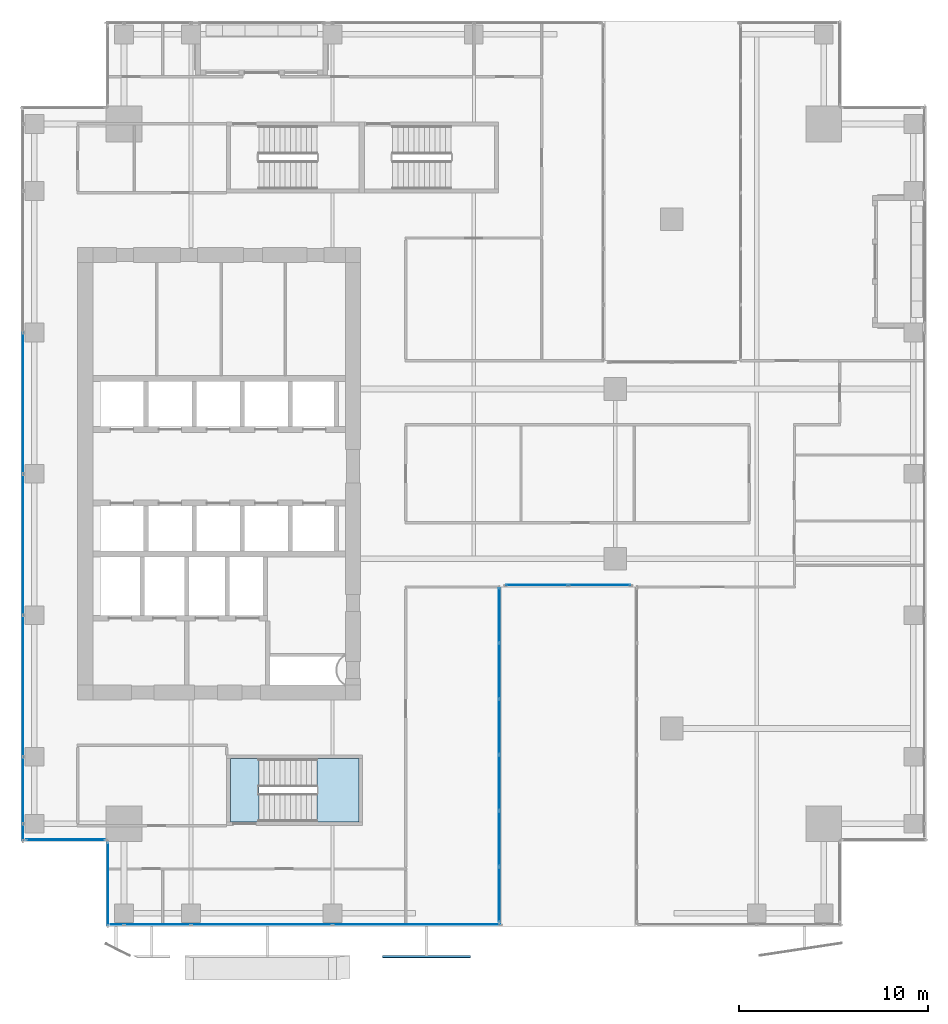
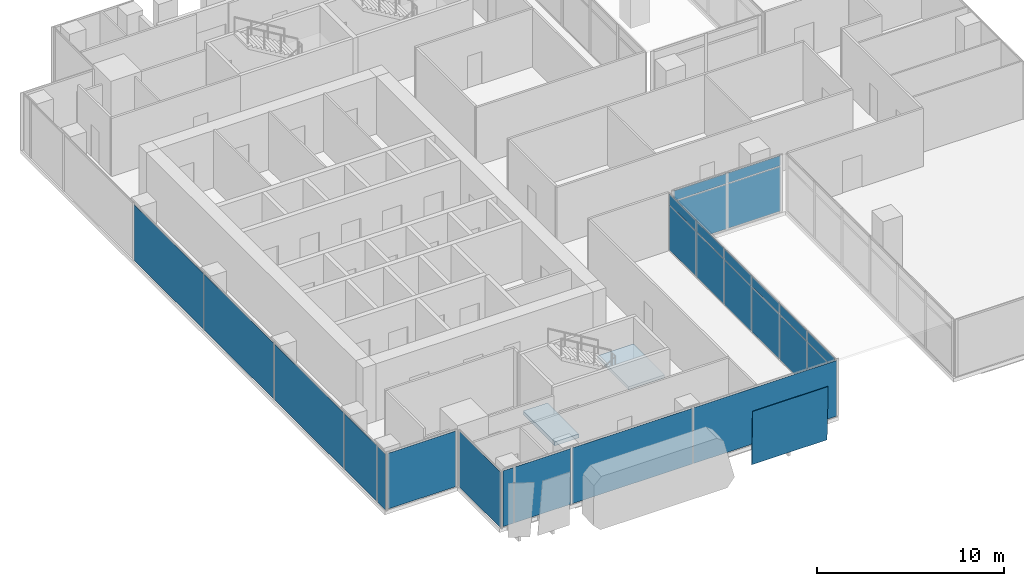
# One storey, part 29 of 40: 28 plates, 2 slabs, 7 elements without a shape of their own.
"""IFC4 building model written with IfcOpenShell, lengths in metres."""

from ifc_helpers import new_model, si_unit, direction, frame, origin, origin_2d, place, context, subcontext, project, spatial, polyline, rectangle, outline, extrude, source, transform, mapped, material, layer, layer_set, type_object, element, aggregate, save


model = new_model("IFC4")

# Units and contexts
model_context = context("Model", 3, precision=1e-05, world=origin(), true_north=direction((0.0, 1.0)))
body_context = subcontext(model_context, "Body", "Model", "MODEL_VIEW")
ifc_project = project(units=[si_unit("LENGTHUNIT", "METRE"), si_unit("AREAUNIT", "SQUARE_METRE"), si_unit("VOLUMEUNIT", "CUBIC_METRE"), si_unit("PLANEANGLEUNIT", "RADIAN"), si_unit("MASSUNIT", "GRAM", prefix="KILO")], contexts=[model_context])

# Site, building, storey
site_placement = place(None, origin())
site = spatial("IfcSite", under=ifc_project, at=site_placement, CompositionType="ELEMENT")
building_placement = place(site_placement, origin())
building = spatial("IfcBuilding", under=site, at=building_placement, Name="Khomas Fold Tower", CompositionType="ELEMENT")
storey_placement = place(building_placement, frame((0.0, 0.0, 184.699951171875)))
storey = spatial("IfcBuildingStorey", under=building, at=storey_placement, Name="L40", CompositionType="ELEMENT", Elevation=184.699951171875)

# Plate
ifc_material_1 = material(Name="Clear laminated glass", Category="glass")
ifc_layer_1 = layer(ifc_material_1, 0.0400390625)
ifc_layer_set_1 = layer_set([ifc_layer_1], Name="Clear laminated glass")
plate_type_1 = type_object("IfcPlateType", Name="SK-Clear laminated glass leaf", PredefinedType="SHEET", material=ifc_layer_set_1)
plate_1_placement = place(storey_placement, frame((22.169921875, 1.473876953125, 0.0), z_axis=(0.0, 0.999510801098, 0.031275525377), x_axis=(0.0, -0.031275525377, 0.999510801098)))
element("IfcPlate", 1, at=plate_1_placement, inside=storey, type_object=plate_type_1, Name="OUTER SKIN glass L40 SG102-3", PredefinedType="SHEET", context=body_context, shape_type="SweptSolid", body=[
    extrude(outline(polyline([(0.0, 0.0), (3.551786358110002, 0.0), (3.551786358110002, 4.66015625), (0.0, 4.66015625), (0.0, 0.0)])), origin(), (0.0, 0.0, -1.0), 0.0400390625),
])

# Curtain wall, plate
ifc_material_2 = material(Name="Aluminium framed double glazing", Category="aluminium")
curtain_wall_type_1 = type_object("IfcCurtainWallType", Name="SK-Unitised clear-glass wall, office floors CW2", PredefinedType="NOTDEFINED", material=ifc_material_2)
curtain_wall_1_placement = place(storey_placement, origin())
curtain_wall_1 = element("IfcCurtainWall", 2, at=curtain_wall_1_placement, inside=storey, type_object=curtain_wall_type_1, Name="CW2 corner return L40 00", PredefinedType="NOTDEFINED")
ifc_material_3 = material(Name="Clear double glazed unit")
ifc_layer_2 = layer(ifc_material_3, 0.030029296875)
ifc_layer_set_2 = layer_set([ifc_layer_2], Name="Clear double glazed unit")
plate_type_2 = type_object("IfcPlateType", Name="SK-Unitised clear-glass wall, office floors glass panel CW2-P", PredefinedType="CURTAIN_PANEL", material=ifc_layer_set_2)
shared_shape_1 = source(origin(), body_context, "Body", "SweptSolid", [
    extrude(rectangle(XDim=4.3798828125, YDim=0.030029296875, at=origin_2d()), origin(), (0.0, 0.0, 1.0), 3.639892578125),
])
plate_2_placement = place(storey_placement, frame((7.60009765625, 5.25, 0.0), z_axis=(0.0, 0.0, 1.0), x_axis=(0.0, -1.0, 0.0)))
plate_2 = element("IfcPlate", 3, at=plate_2_placement, type_object=plate_type_2, Name="CW2 glass panel 1", PredefinedType="CURTAIN_PANEL", context=body_context, shape_type="MappedRepresentation", body=[
    mapped(shared_shape_1, transform((0.0, 0.0, 0.0))),
])
aggregate(curtain_wall_1, [plate_2])

# Curtain wall, plates
curtain_wall_2_placement = place(storey_placement, origin())
curtain_wall_2 = element("IfcCurtainWall", 4, at=curtain_wall_2_placement, inside=storey, type_object=curtain_wall_type_1, Name="CW2 run L40 01-0", PredefinedType="NOTDEFINED")
shared_shape_2 = source(origin(), body_context, "Body", "SweptSolid", [
    extrude(rectangle(XDim=0.659912109375, YDim=0.030029296875, at=origin_2d()), origin(), (0.0, 0.0, 1.0), 3.639892578125),
])
plate_3_placement = place(storey_placement, frame((8.090087890625, 3.10009765625, 0.0), z_axis=(0.0, 0.0, 1.0), x_axis=(1.0, 0.0, 0.0)))
plate_3 = element("IfcPlate", 5, at=plate_3_placement, type_object=plate_type_2, Name="CW2 glass panel 1", PredefinedType="CURTAIN_PANEL", context=body_context, shape_type="MappedRepresentation", body=[
    mapped(shared_shape_2, transform((0.0, 0.0, 0.0))),
])
shared_shape_3 = source(origin(), body_context, "Body", "SweptSolid", [
    extrude(rectangle(XDim=3.489990234375, YDim=0.030029296875, at=origin_2d()), origin(), (0.0, 0.0, 1.0), 3.639892578125),
])
plate_4_placement = place(storey_placement, frame((10.22509765625, 3.10009765625, 0.0), z_axis=(0.0, 0.0, 1.0), x_axis=(1.0, 0.0, 0.0)))
plate_4 = element("IfcPlate", 6, at=plate_4_placement, type_object=plate_type_2, Name="CW2 glass panel 2", PredefinedType="CURTAIN_PANEL", context=body_context, shape_type="MappedRepresentation", body=[
    mapped(shared_shape_3, transform((0.0, 0.0, 0.0))),
])

# Curtain wall, plate
curtain_wall_3_placement = place(storey_placement, origin())
curtain_wall_3 = element("IfcCurtainWall", 7, at=curtain_wall_3_placement, inside=storey, type_object=curtain_wall_type_1, Name="CW2 run L40 18-0", PredefinedType="NOTDEFINED")
plate_5_placement = place(storey_placement, frame((3.10009765625, 10.22509765625, 0.0), z_axis=(0.0, 0.0, 1.0), x_axis=(0.0, -1.0, 0.0)))
plate_5 = element("IfcPlate", 8, at=plate_5_placement, type_object=plate_type_2, Name="CW2 glass panel 7", PredefinedType="CURTAIN_PANEL", context=body_context, shape_type="MappedRepresentation", body=[
    mapped(shared_shape_3, transform((0.0, 0.0, 0.0))),
])

# Plate
shared_shape_4 = source(origin(), body_context, "Body", "SweptSolid", [
    extrude(rectangle(XDim=7.43994140625, YDim=0.030029296875, at=origin_2d()), origin(), (0.0, 0.0, 1.0), 3.639892578125),
])
plate_6_placement = place(storey_placement, frame((15.75, 3.10009765625, 0.0), z_axis=(0.0, 0.0, 1.0), x_axis=(1.0, 0.0, 0.0)))
plate_6 = element("IfcPlate", 9, at=plate_6_placement, type_object=plate_type_2, Name="CW2 glass panel 3", PredefinedType="CURTAIN_PANEL", context=body_context, shape_type="MappedRepresentation", body=[
    mapped(shared_shape_4, transform((0.0, 0.0, 0.0))),
])

plate_7_placement = place(storey_placement, frame((3.10009765625, 30.75, 0.0), z_axis=(0.0, 0.0, 1.0), x_axis=(0.0, -1.0, 0.0)))
plate_7 = element("IfcPlate", 10, at=plate_7_placement, type_object=plate_type_2, Name="CW2 glass panel 4", PredefinedType="CURTAIN_PANEL", context=body_context, shape_type="MappedRepresentation", body=[
    mapped(shared_shape_4, transform((0.0, 0.0, 0.0))),
])

plate_8_placement = place(storey_placement, frame((3.10009765625, 23.25, 0.0), z_axis=(0.0, 0.0, 1.0), x_axis=(0.0, -1.0, 0.0)))
plate_8 = element("IfcPlate", 11, at=plate_8_placement, type_object=plate_type_2, Name="CW2 glass panel 5", PredefinedType="CURTAIN_PANEL", context=body_context, shape_type="MappedRepresentation", body=[
    mapped(shared_shape_4, transform((0.0, 0.0, 0.0))),
])

plate_9_placement = place(storey_placement, frame((3.10009765625, 15.75, 0.0), z_axis=(0.0, 0.0, 1.0), x_axis=(0.0, -1.0, 0.0)))
plate_9 = element("IfcPlate", 12, at=plate_9_placement, type_object=plate_type_2, Name="CW2 glass panel 6", PredefinedType="CURTAIN_PANEL", context=body_context, shape_type="MappedRepresentation", body=[
    mapped(shared_shape_4, transform((0.0, 0.0, 0.0))),
])

# Curtain wall, plate
curtain_wall_4_placement = place(storey_placement, origin())
curtain_wall_4 = element("IfcCurtainWall", 13, at=curtain_wall_4_placement, inside=storey, type_object=curtain_wall_type_1, Name="CW2 corner return L40 19", PredefinedType="NOTDEFINED")
shared_shape_5 = source(origin(), body_context, "Body", "SweptSolid", [
    extrude(rectangle(XDim=4.179931640625, YDim=0.030029296875, at=origin_2d()), origin(), (0.0, 0.0, 1.0), 3.639892578125),
])
plate_10_placement = place(storey_placement, frame((5.35009765625, 7.60009765625, 0.0), z_axis=(0.0, 0.0, 1.0), x_axis=(1.0, 0.0, 0.0)))
plate_10 = element("IfcPlate", 14, at=plate_10_placement, type_object=plate_type_2, Name="CW2 glass panel 1", PredefinedType="CURTAIN_PANEL", context=body_context, shape_type="MappedRepresentation", body=[
    mapped(shared_shape_5, transform((0.0, 0.0, 0.0))),
])
aggregate(curtain_wall_4, [plate_10])

# Plate
shared_shape_6 = source(origin(), body_context, "Body", "SweptSolid", [
    extrude(rectangle(XDim=0.860107421875, YDim=0.030029296875, at=origin_2d()), origin(), (0.0, 0.0, 1.0), 3.639892578125),
])
plate_11_placement = place(storey_placement, frame((3.10009765625, 7.989990234375, 0.0), z_axis=(0.0, 0.0, 1.0), x_axis=(0.0, -1.0, 0.0)))
plate_11 = element("IfcPlate", 15, at=plate_11_placement, type_object=plate_type_2, Name="CW2 glass panel 8", PredefinedType="CURTAIN_PANEL", context=body_context, shape_type="MappedRepresentation", body=[
    mapped(shared_shape_6, transform((0.0, 0.0, 0.0))),
])

aggregate(curtain_wall_3, [plate_7, plate_8, plate_9, plate_5, plate_11])

shared_shape_7 = source(origin(), body_context, "Body", "SweptSolid", [
    extrude(rectangle(XDim=8.860107421875, YDim=0.030029296875, at=origin_2d()), origin(), (0.0, 0.0, 1.0), 3.639892578125),
])
plate_12_placement = place(storey_placement, frame((23.9599609375, 3.10009765625, 0.0), z_axis=(0.0, 0.0, 1.0), x_axis=(1.0, 0.0, 0.0)))
plate_12 = element("IfcPlate", 16, at=plate_12_placement, type_object=plate_type_2, Name="CW2 glass panel 4", PredefinedType="CURTAIN_PANEL", context=body_context, shape_type="MappedRepresentation", body=[
    mapped(shared_shape_7, transform((0.0, 0.0, 0.0))),
])

aggregate(curtain_wall_2, [plate_3, plate_4, plate_6, plate_12])

# Curtain wall, plates
ifc_material_4 = material(Name="Aluminium framed double glazing", Category="aluminium")
curtain_wall_type_2 = type_object("IfcCurtainWallType", Name="Notch glazing GN-CW", PredefinedType="NOTDEFINED", material=ifc_material_4)
curtain_wall_5_placement = place(storey_placement, origin())
curtain_wall_5 = element("IfcCurtainWall", 17, at=curtain_wall_5_placement, inside=storey, type_object=curtain_wall_type_2, Name="Notch glazing run", PredefinedType="NOTDEFINED")
ifc_material_5 = material(Name="Double glazed unit")
ifc_layer_3 = layer(ifc_material_5, 0.031982421875)
ifc_layer_set_3 = layer_set([ifc_layer_3], Name="Double glazed unit")
plate_type_3 = type_object("IfcPlateType", Name="Notch glazing panel GN-CW-P", PredefinedType="CURTAIN_PANEL", material=ifc_layer_set_3)
shared_shape_8 = source(origin(), body_context, "Body", "SweptSolid", [
    extrude(rectangle(XDim=2.876708984375, YDim=0.031982421875, at=origin_2d()), origin(), (0.0, 0.0, 1.0), 2.909912109375),
])
plate_13_placement = place(storey_placement, frame((28.35009765625, 4.6982421875, 0.06005859375), z_axis=(0.0, 0.0, 1.0), x_axis=(0.0, 1.0, 0.0)))
plate_13 = element("IfcPlate", 18, at=plate_13_placement, type_object=plate_type_3, Name="GN-CW panel 1.1", PredefinedType="CURTAIN_PANEL", context=body_context, shape_type="MappedRepresentation", body=[
    mapped(shared_shape_8, transform((0.0, 0.0, 0.0))),
])
plate_14_placement = place(storey_placement, frame((28.35009765625, 19.501708984375, 0.06005859375), z_axis=(0.0, 0.0, 1.0), x_axis=(0.0, 1.0, 0.0)))
plate_14 = element("IfcPlate", 19, at=plate_14_placement, type_object=plate_type_3, Name="GN-CW panel 6.1", PredefinedType="CURTAIN_PANEL", context=body_context, shape_type="MappedRepresentation", body=[
    mapped(shared_shape_8, transform((0.0, 0.0, 0.0))),
])
shared_shape_9 = source(origin(), body_context, "Body", "SweptSolid", [
    extrude(rectangle(XDim=2.90673828125, YDim=0.031982421875, at=origin_2d()), origin(), (0.0, 0.0, 1.0), 2.909912109375),
])
plate_15_placement = place(storey_placement, frame((28.35009765625, 7.64990234375, 0.06005859375), z_axis=(0.0, 0.0, 1.0), x_axis=(0.0, 1.0, 0.0)))
plate_15 = element("IfcPlate", 20, at=plate_15_placement, type_object=plate_type_3, Name="GN-CW panel 2.1", PredefinedType="CURTAIN_PANEL", context=body_context, shape_type="MappedRepresentation", body=[
    mapped(shared_shape_9, transform((0.0, 0.0, 0.0))),
])
plate_16_placement = place(storey_placement, frame((28.35009765625, 10.61669921875, 0.06005859375), z_axis=(0.0, 0.0, 1.0), x_axis=(0.0, 1.0, 0.0)))
plate_16 = element("IfcPlate", 21, at=plate_16_placement, type_object=plate_type_3, Name="GN-CW panel 3.1", PredefinedType="CURTAIN_PANEL", context=body_context, shape_type="MappedRepresentation", body=[
    mapped(shared_shape_9, transform((0.0, 0.0, 0.0))),
])
plate_17_placement = place(storey_placement, frame((28.35009765625, 13.583251953125, 0.06005859375), z_axis=(0.0, 0.0, 1.0), x_axis=(0.0, 1.0, 0.0)))
plate_17 = element("IfcPlate", 22, at=plate_17_placement, type_object=plate_type_3, Name="GN-CW panel 4.1", PredefinedType="CURTAIN_PANEL", context=body_context, shape_type="MappedRepresentation", body=[
    mapped(shared_shape_9, transform((0.0, 0.0, 0.0))),
])
plate_18_placement = place(storey_placement, frame((28.35009765625, 16.550048828125, 0.06005859375), z_axis=(0.0, 0.0, 1.0), x_axis=(0.0, 1.0, 0.0)))
plate_18 = element("IfcPlate", 23, at=plate_18_placement, type_object=plate_type_3, Name="GN-CW panel 5.1", PredefinedType="CURTAIN_PANEL", context=body_context, shape_type="MappedRepresentation", body=[
    mapped(shared_shape_9, transform((0.0, 0.0, 0.0))),
])
shared_shape_10 = source(origin(), body_context, "Body", "SweptSolid", [
    extrude(rectangle(XDim=2.876708984375, YDim=0.031982421875, at=origin_2d()), origin(), (0.0, 0.0, 1.0), 0.659912109375),
])
plate_19_placement = place(storey_placement, frame((28.35009765625, 4.6982421875, 3.0302734375), z_axis=(0.0, 0.0, 1.0), x_axis=(0.0, 1.0, 0.0)))
plate_19 = element("IfcPlate", 24, at=plate_19_placement, type_object=plate_type_3, Name="GN-CW panel 1.2", PredefinedType="CURTAIN_PANEL", context=body_context, shape_type="MappedRepresentation", body=[
    mapped(shared_shape_10, transform((0.0, 0.0, 0.0))),
])
plate_20_placement = place(storey_placement, frame((28.35009765625, 19.501708984375, 3.0302734375), z_axis=(0.0, 0.0, 1.0), x_axis=(0.0, 1.0, 0.0)))
plate_20 = element("IfcPlate", 25, at=plate_20_placement, type_object=plate_type_3, Name="GN-CW panel 6.2", PredefinedType="CURTAIN_PANEL", context=body_context, shape_type="MappedRepresentation", body=[
    mapped(shared_shape_10, transform((0.0, 0.0, 0.0))),
])
shared_shape_11 = source(origin(), body_context, "Body", "SweptSolid", [
    extrude(rectangle(XDim=2.90673828125, YDim=0.031982421875, at=origin_2d()), origin(), (0.0, 0.0, 1.0), 0.659912109375),
])
plate_21_placement = place(storey_placement, frame((28.35009765625, 7.64990234375, 3.0302734375), z_axis=(0.0, 0.0, 1.0), x_axis=(0.0, 1.0, 0.0)))
plate_21 = element("IfcPlate", 26, at=plate_21_placement, type_object=plate_type_3, Name="GN-CW panel 2.2", PredefinedType="CURTAIN_PANEL", context=body_context, shape_type="MappedRepresentation", body=[
    mapped(shared_shape_11, transform((0.0, 0.0, 0.0))),
])
plate_22_placement = place(storey_placement, frame((28.35009765625, 10.61669921875, 3.0302734375), z_axis=(0.0, 0.0, 1.0), x_axis=(0.0, 1.0, 0.0)))
plate_22 = element("IfcPlate", 27, at=plate_22_placement, type_object=plate_type_3, Name="GN-CW panel 3.2", PredefinedType="CURTAIN_PANEL", context=body_context, shape_type="MappedRepresentation", body=[
    mapped(shared_shape_11, transform((0.0, 0.0, 0.0))),
])
plate_23_placement = place(storey_placement, frame((28.35009765625, 13.583251953125, 3.0302734375), z_axis=(0.0, 0.0, 1.0), x_axis=(0.0, 1.0, 0.0)))
plate_23 = element("IfcPlate", 28, at=plate_23_placement, type_object=plate_type_3, Name="GN-CW panel 4.2", PredefinedType="CURTAIN_PANEL", context=body_context, shape_type="MappedRepresentation", body=[
    mapped(shared_shape_11, transform((0.0, 0.0, 0.0))),
])
plate_24_placement = place(storey_placement, frame((28.35009765625, 16.550048828125, 3.0302734375), z_axis=(0.0, 0.0, 1.0), x_axis=(0.0, 1.0, 0.0)))
plate_24 = element("IfcPlate", 29, at=plate_24_placement, type_object=plate_type_3, Name="GN-CW panel 5.2", PredefinedType="CURTAIN_PANEL", context=body_context, shape_type="MappedRepresentation", body=[
    mapped(shared_shape_11, transform((0.0, 0.0, 0.0))),
])
aggregate(curtain_wall_5, [plate_13, plate_19, plate_15, plate_21, plate_16, plate_22, plate_17, plate_23, plate_18, plate_24, plate_14, plate_20])

curtain_wall_6_placement = place(storey_placement, origin())
curtain_wall_6 = element("IfcCurtainWall", 30, at=curtain_wall_6_placement, inside=storey, type_object=curtain_wall_type_2, Name="Notch glazing run", PredefinedType="NOTDEFINED")
shared_shape_12 = source(origin(), body_context, "Body", "SweptSolid", [
    extrude(rectangle(XDim=3.260009765625, YDim=0.031982421875, at=origin_2d()), origin(), (0.0, 0.0, 1.0), 2.909912109375),
])
plate_25_placement = place(storey_placement, frame((30.340087890625, 21.10009765625, 0.06005859375), z_axis=(0.0, 0.0, 1.0), x_axis=(1.0, 0.0, 0.0)))
plate_25 = element("IfcPlate", 31, at=plate_25_placement, type_object=plate_type_3, Name="GN-CW panel 1.1", PredefinedType="CURTAIN_PANEL", context=body_context, shape_type="MappedRepresentation", body=[
    mapped(shared_shape_12, transform((0.0, 0.0, 0.0))),
])
plate_26_placement = place(storey_placement, frame((33.659912109375, 21.10009765625, 0.06005859375), z_axis=(0.0, 0.0, 1.0), x_axis=(1.0, 0.0, 0.0)))
plate_26 = element("IfcPlate", 32, at=plate_26_placement, type_object=plate_type_3, Name="GN-CW panel 2.1", PredefinedType="CURTAIN_PANEL", context=body_context, shape_type="MappedRepresentation", body=[
    mapped(shared_shape_12, transform((0.0, 0.0, 0.0))),
])
shared_shape_13 = source(origin(), body_context, "Body", "SweptSolid", [
    extrude(rectangle(XDim=3.260009765625, YDim=0.031982421875, at=origin_2d()), origin(), (0.0, 0.0, 1.0), 0.659912109375),
])
plate_27_placement = place(storey_placement, frame((30.340087890625, 21.10009765625, 3.0302734375), z_axis=(0.0, 0.0, 1.0), x_axis=(1.0, 0.0, 0.0)))
plate_27 = element("IfcPlate", 33, at=plate_27_placement, type_object=plate_type_3, Name="GN-CW panel 1.2", PredefinedType="CURTAIN_PANEL", context=body_context, shape_type="MappedRepresentation", body=[
    mapped(shared_shape_13, transform((0.0, 0.0, 0.0))),
])
plate_28_placement = place(storey_placement, frame((33.659912109375, 21.10009765625, 3.0302734375), z_axis=(0.0, 0.0, 1.0), x_axis=(1.0, 0.0, 0.0)))
plate_28 = element("IfcPlate", 34, at=plate_28_placement, type_object=plate_type_3, Name="GN-CW panel 2.2", PredefinedType="CURTAIN_PANEL", context=body_context, shape_type="MappedRepresentation", body=[
    mapped(shared_shape_13, transform((0.0, 0.0, 0.0))),
])
aggregate(curtain_wall_6, [plate_25, plate_27, plate_26, plate_28])

# Stair, slab
ifc_material_6 = material(Name="Concrete C40/50", Category="concrete")
stair_type = type_object("IfcStairType", Name="Stair ST2", PredefinedType="HALF_TURN_STAIR", material=ifc_material_6)
stair_placement = place(storey_placement, origin())
stair = element("IfcStair", 35, at=stair_placement, inside=storey, type_object=stair_type, Name="L40 ST2", PredefinedType="HALF_TURN_STAIR")
ifc_material_7 = material(Name="Concrete C40/50", Category="concrete")
ifc_layer_4 = layer(ifc_material_7, 0.199951171875)
ifc_layer_set_4 = layer_set([ifc_layer_4], Name="Concrete C40/50")
slab_type_1 = type_object("IfcSlabType", Name="Stair landing 200", PredefinedType="LANDING", material=ifc_layer_set_4)
shared_shape_14 = source(origin(), body_context, "Body", "SweptSolid", [
    extrude(outline(polyline([(18.679931640625, 8.550048828125), (20.89990234375, 8.550048828125), (20.89990234375, 11.89990234375), (18.679931640625, 11.89990234375), (18.679931640625, 8.550048828125)])), origin(), (0.0, 0.0, 1.0), 0.199951171875),
])
slab_1_placement = place(storey_placement, frame((0.0, 0.0, 1.800048828125)))
slab_1 = element("IfcSlab", 36, at=slab_1_placement, type_object=slab_type_1, Name="ST2 landing 1", PredefinedType="LANDING", context=body_context, shape_type="MappedRepresentation", body=[
    mapped(shared_shape_14, transform((0.0, 0.0, 0.0))),
])
aggregate(stair, [slab_1])

# Slab
ifc_material_8 = material(Name="Concrete C40/50", Category="concrete")
ifc_layer_5 = layer(ifc_material_8, 0.25)
ifc_layer_set_5 = layer_set([ifc_layer_5], Name="Concrete C40/50")
slab_type_2 = type_object("IfcSlabType", Name="Stair floor landing 250", PredefinedType="LANDING", material=ifc_layer_set_5)
shared_shape_15 = source(origin(), body_context, "Body", "SweptSolid", [
    extrude(outline(polyline([(15.60009765625, 8.550048828125), (14.10009765625, 8.550048828125), (14.10009765625, 11.89990234375), (15.60009765625, 11.89990234375), (15.60009765625, 8.550048828125)])), origin(), (0.0, 0.0, 1.0), 0.25),
])
slab_2_placement = place(storey_placement, frame((0.0, 0.0, -0.25)))
element("IfcSlab", 37, at=slab_2_placement, inside=storey, type_object=slab_type_2, Name="ST2 floor landing", PredefinedType="LANDING", context=body_context, shape_type="MappedRepresentation", body=[
    mapped(shared_shape_15, transform((0.0, 0.0, 0.0))),
])

save(model, "model.ifc")
